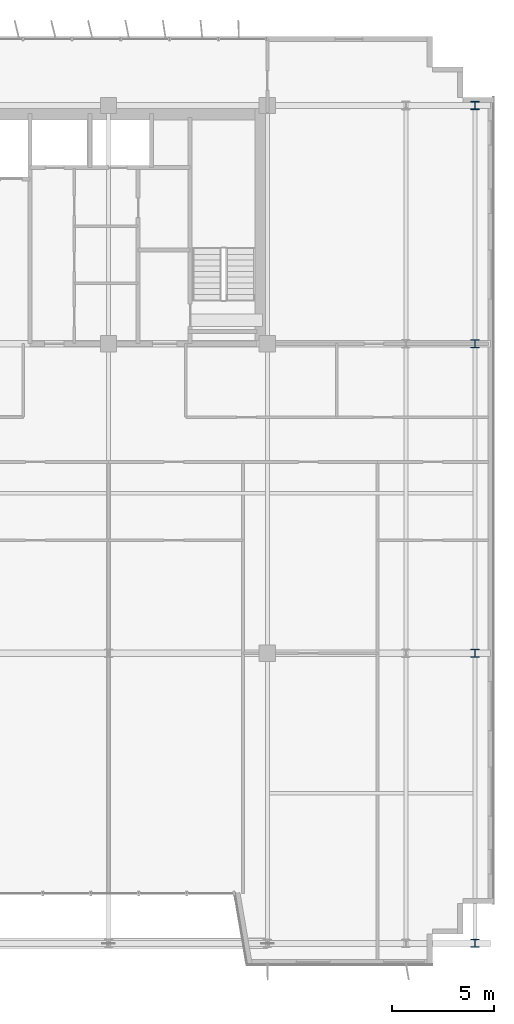
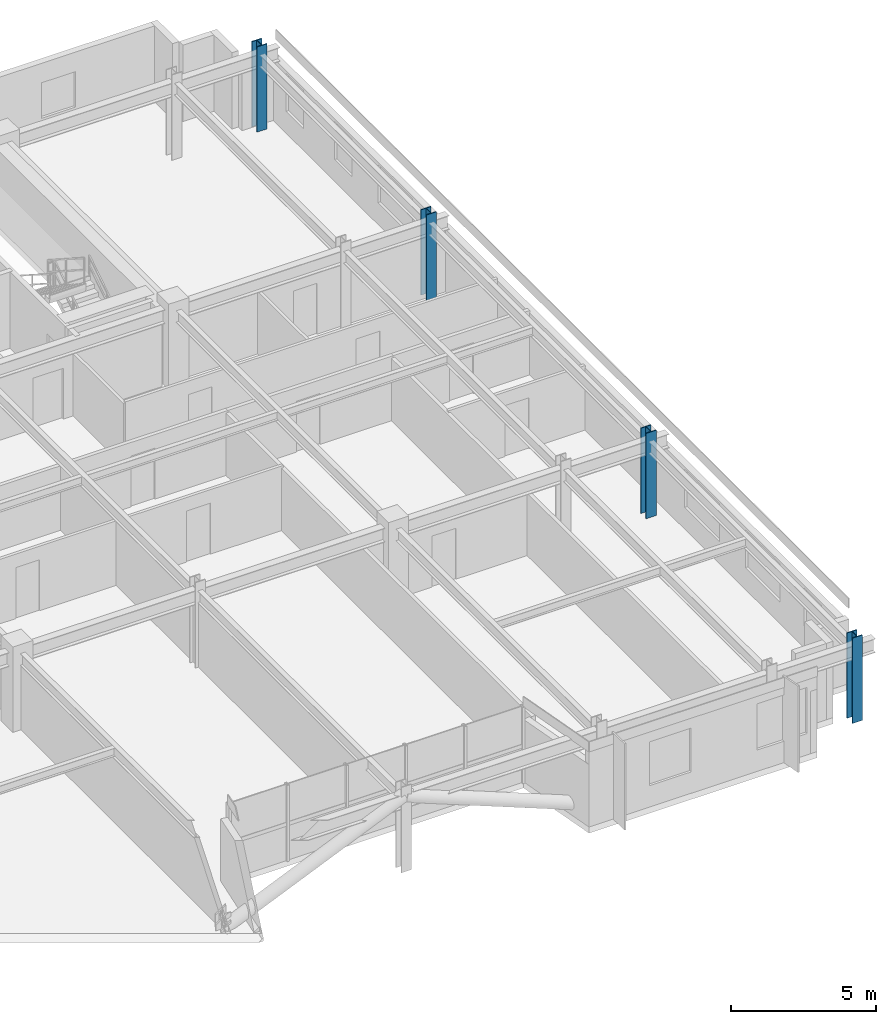
# One storey, part 4 of 26: 4 columns.
"""IFC4 building model written with IfcOpenShell, lengths in metres."""

from ifc_helpers import new_model, si_unit, direction, frame, origin, origin_2d, place, context, subcontext, project, spatial, i_section, extrude, source, transform, mapped, material, material_profile, profile_set, type_object, element, save


model = new_model("IFC4")

# Units and contexts
model_context = context("Model", 3, precision=1e-05, world=origin(), true_north=direction((0.0, 1.0)))
body_context = subcontext(model_context, "Body", "Model", "MODEL_VIEW")
ifc_project = project(units=[si_unit("LENGTHUNIT", "METRE"), si_unit("AREAUNIT", "SQUARE_METRE"), si_unit("VOLUMEUNIT", "CUBIC_METRE"), si_unit("PLANEANGLEUNIT", "RADIAN"), si_unit("MASSUNIT", "GRAM", prefix="KILO")], contexts=[model_context])

# Site, building, storey
site_placement = place(None, origin())
site = spatial("IfcSite", under=ifc_project, at=site_placement, CompositionType="ELEMENT")
building_placement = place(site_placement, origin())
building = spatial("IfcBuilding", under=site, at=building_placement, Name="Trelvane Seafront Commons", CompositionType="ELEMENT")
storey_placement = place(building_placement, frame((0.0, 0.0, 128.5)))
storey = spatial("IfcBuildingStorey", under=building, at=storey_placement, Name="L33", CompositionType="ELEMENT", Elevation=128.5)

# Columns
ifc_material = material(Name="Steel SM355 (S355)", Category="steel")
ifc_material_profile = material_profile(ifc_material, i_section(OverallWidth=0.39990234375, OverallDepth=0.39990234375, WebThickness=0.02197265625, FlangeThickness=0.034912109375, at=origin_2d()), Name="HD-400x400x22x35")
ifc_profile_set = profile_set([ifc_material_profile], Name="Steel SM355 (S355)")
column_type = type_object("IfcColumnType", Name="STR-COL-HD400", PredefinedType="COLUMN", material=ifc_profile_set)
shared_shape = source(origin(), body_context, "Body", "SweptSolid", [
    extrude(i_section(OverallWidth=0.39990234375, OverallDepth=0.39990234375, WebThickness=0.02197265625, FlangeThickness=0.034912109375, at=origin_2d()), origin(), (0.0, 0.0, 1.0), 3.60009765625),
])
for number, where, z_axis, x_axis, name in (
    (1, (69.0, 3.949951171875, 0.0), (0.0, 0.0, 1.0), (1.0, 0.0, 0.0), "L33 Column TC-S69.0"),
    (2, (69.0, 18.199951171875, 0.0), (0.0, 0.0, 1.0), (1.0, 0.0, 0.0), "L33 Column TC-M69.0"),
    (3, (69.0, 33.39990234375, 0.0), (0.0, 0.0, 1.0), (1.0, 0.0, 0.0), "L33 Column TC-CS69.0"),
    (4, (69.0, 45.10009765625, 0.0), (0.0, 0.0, 1.0), (1.0, 0.0, 0.0), "L33 Column TC-CN69.0"),
):
    element("IfcColumn", number, at=place(storey_placement, frame(where, z_axis=z_axis, x_axis=x_axis)), inside=storey, type_object=column_type, Name=name, PredefinedType="COLUMN", context=body_context, shape_type="MappedRepresentation", body=[
        mapped(shared_shape, transform((0.0, 0.0, 0.0), x_axis=(1.0, 0.0, 0.0), y_axis=(0.0, 1.0, 0.0), z_axis=(0.0, 0.0, 1.0), scale=1.0)),
    ])

save(model, "model.ifc")
